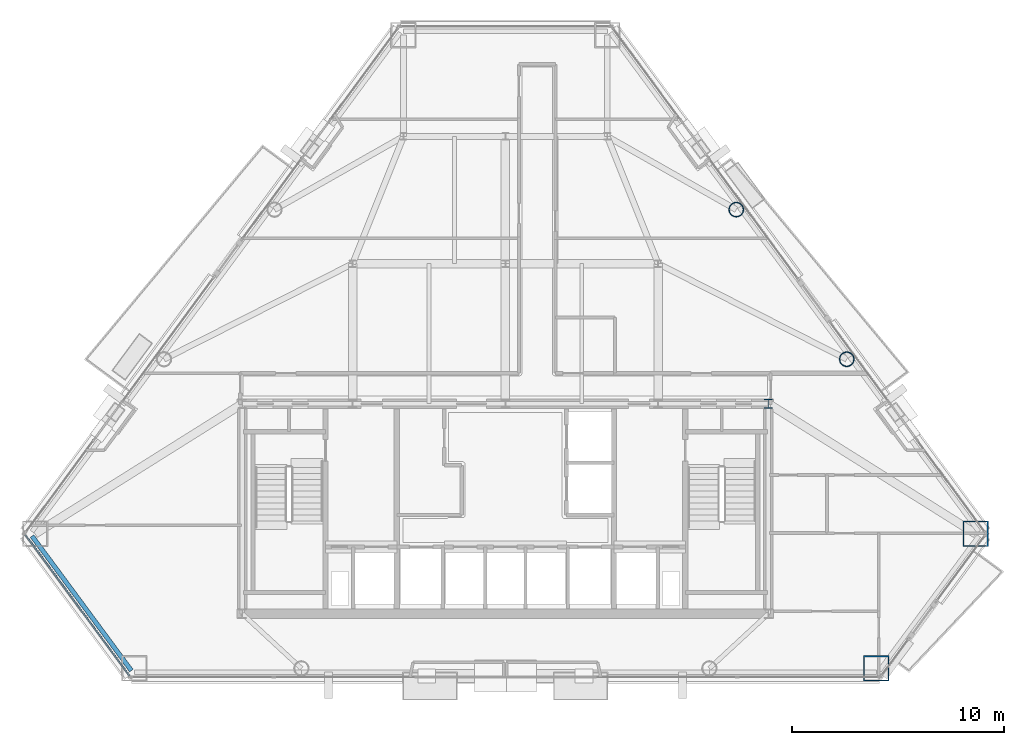
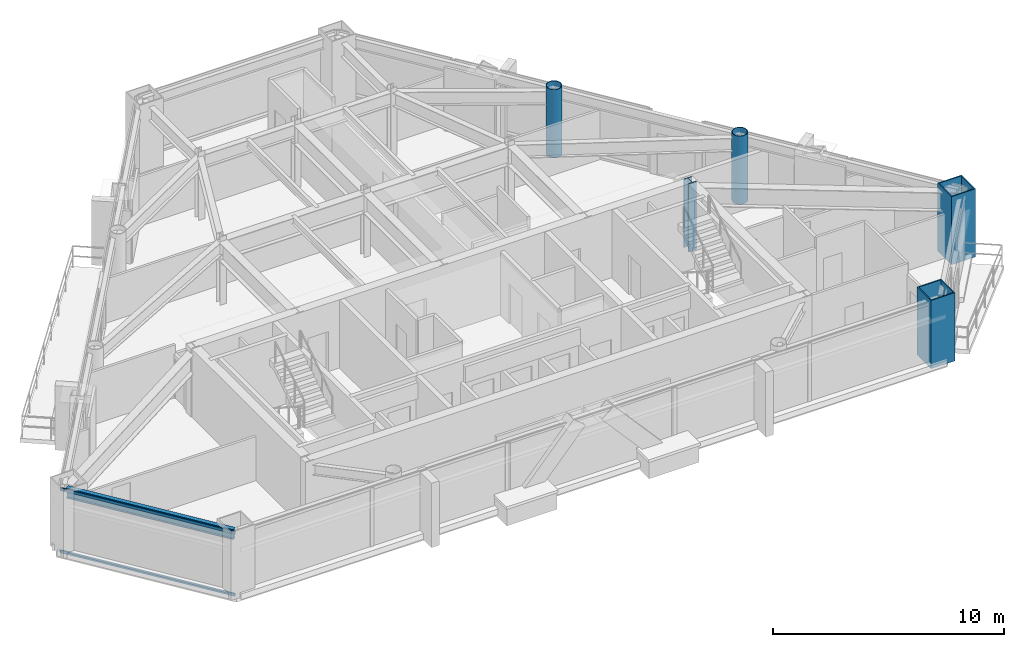
# One storey, part 2 of 11: 5 columns, 2 members, 1 beam, 1 element without a shape of its own.
"""IFC4 building model written with IfcOpenShell, lengths in metres."""

from ifc_helpers import new_model, si_unit, direction, frame, origin, origin_2d, place, context, subcontext, project, spatial, rectangle, hollow_rectangle, hollow_circle, i_section, extrude, material, layer, layer_set, material_profile, profile_set, type_object, element, aggregate, save


model = new_model("IFC4")

# Units and contexts
model_context = context("Model", 3, precision=1e-05, world=origin(), true_north=direction((0.0, 1.0)))
body_context = subcontext(model_context, "Body", "Model", "MODEL_VIEW")
ifc_project = project(units=[si_unit("LENGTHUNIT", "METRE"), si_unit("AREAUNIT", "SQUARE_METRE"), si_unit("VOLUMEUNIT", "CUBIC_METRE"), si_unit("PLANEANGLEUNIT", "RADIAN"), si_unit("MASSUNIT", "GRAM", prefix="KILO")], contexts=[model_context])

# Site, building, storey
site_placement = place(None, origin())
site = spatial("IfcSite", under=ifc_project, at=site_placement, CompositionType="ELEMENT")
building_placement = place(site_placement, origin())
building = spatial("IfcBuilding", under=site, at=building_placement, Name="Talgorran Terracotta Tower", CompositionType="ELEMENT")
storey_placement = place(building_placement, frame((0.0, 0.0, 147.300048828125)))
storey = spatial("IfcBuildingStorey", under=building, at=storey_placement, Name="L38", CompositionType="ELEMENT", Elevation=147.300048828125)

# Columns
ifc_material_1 = material(Name="Steel S355 (300PLUS)", Category="steel")
ifc_material_profile_1 = material_profile(ifc_material_1, i_section(OverallWidth=0.39990234375, OverallDepth=0.43994140625, WebThickness=0.028076171875, FlangeThickness=0.0400390625, at=origin_2d()), Name="400WC328")
ifc_profile_set_1 = profile_set([ifc_material_profile_1], Name="Steel S355 (300PLUS)")
column_type_1 = type_object("IfcColumnType", Name="COL_400WC328", PredefinedType="COLUMN", material=ifc_profile_set_1)
column_placement = place(storey_placement, frame((12.39990234375, -4.199951171875, 0.0), z_axis=(0.0, 0.0, 1.0), x_axis=(1.0, 0.0, 0.0)))
element("IfcColumn", 1, at=column_placement, inside=storey, type_object=column_type_1, Name="L38 Core Boundary Column CC3", PredefinedType="COLUMN", context=body_context, shape_type="SweptSolid", body=[
    extrude(i_section(OverallWidth=0.39990234375, OverallDepth=0.43994140625, WebThickness=0.028076171875, FlangeThickness=0.0400390625, at=origin_2d()), origin(), (0.0, 0.0, 1.0), 3.599853515625),
])
ifc_material_2 = material(Name="Steel Grade 350 (350L0)", Category="steel")
ifc_material_profile_2 = material_profile(ifc_material_2, hollow_rectangle(XDim=1.199951171875, YDim=1.199951171875, WallThickness=0.054931640625, at=origin_2d()), Name="CFT1200X1200X55")
ifc_profile_set_2 = profile_set([ifc_material_profile_2], Name="Steel Grade 350 (350L0)")
column_type_2 = type_object("IfcColumnType", Name="COL_CFT_1200", PredefinedType="COLUMN", material=ifc_profile_set_2)
for number, where, z_axis, x_axis, name in (
    (2, (17.483642578125, -16.67431640625, 0.0), (0.0, 0.0, 1.0), (1.0, 0.0, 0.0), "L38 Corner CFT Mega-Column MC3"),
    (3, (22.168212890625, -10.331298828125, 0.0), (0.0, 0.0, 1.0), (1.0, 0.0, 0.0), "L38 Corner CFT Mega-Column MC4"),
):
    element("IfcColumn", number, at=place(storey_placement, frame(where, z_axis=z_axis, x_axis=x_axis)), inside=storey, type_object=column_type_2, Name=name, PredefinedType="COLUMN", context=body_context, shape_type="SweptSolid", body=[
        extrude(hollow_rectangle(XDim=1.199951171875, YDim=1.199951171875, WallThickness=0.054931640625, at=origin_2d()), origin(), (0.0, 0.0, 1.0), 3.599853515625),
    ])
ifc_material_profile_3 = material_profile(ifc_material_2, hollow_circle(Radius=0.35009765625, WallThickness=0.030029296875, at=origin_2d()), Name="CHS700X30")
ifc_profile_set_3 = profile_set([ifc_material_profile_3], Name="Steel Grade 350 (350L0)")
column_type_3 = type_object("IfcColumnType", Name="COL_CHS_700", PredefinedType="COLUMN", material=ifc_profile_set_3)
for number, where, z_axis, x_axis, name in (
    (4, (16.091552734375, -2.10302734375, 0.0), (0.0, 0.0, 1.0), (1.0, 0.0, 0.0), "L38 Facet Perimeter Column FC3"),
    (5, (10.8828125, 4.94970703125, 0.0), (0.0, 0.0, 1.0), (1.0, 0.0, 0.0), "L38 Facet Perimeter Column FC4"),
):
    element("IfcColumn", number, at=place(storey_placement, frame(where, z_axis=z_axis, x_axis=x_axis)), inside=storey, type_object=column_type_3, Name=name, PredefinedType="COLUMN", context=body_context, shape_type="SweptSolid", body=[
        extrude(hollow_circle(Radius=0.35009765625, WallThickness=0.030029296875, at=origin_2d()), origin(), (0.0, 0.0, 1.0), 3.599853515625),
    ])

# Beam
ifc_material_profile_4 = material_profile(ifc_material_1, i_section(OverallWidth=0.209228515625, OverallDepth=0.532958984375, WebThickness=0.01025390625, FlangeThickness=0.015625, at=origin_2d()), Name="530UB92.4")
ifc_profile_set_4 = profile_set([ifc_material_profile_4], Name="Steel S355 (300PLUS)")
beam_type = type_object("IfcBeamType", Name="BM_SP_530UB92", PredefinedType="SPANDREL", material=ifc_profile_set_4)
beam_placement = place(storey_placement, frame((-22.31298828125, -10.43798828125, 3.08349609375), z_axis=(0.594068918856, -0.804414146848, 0.0), x_axis=(0.804414146848, 0.594068918856, 0.0)))
element("IfcBeam", 6, at=beam_placement, inside=storey, type_object=beam_type, Name="L38 Perimeter Spandrel Beam MC1-MC2", PredefinedType="SPANDREL", context=body_context, shape_type="SweptSolid", body=[
    extrude(i_section(OverallWidth=0.209228515625, OverallDepth=0.532958984375, WebThickness=0.01025390625, FlangeThickness=0.015625, at=origin_2d()), origin(), (0.0, 0.0, 1.0), 7.885498046875),
])

# Curtain wall, members
ifc_material_3 = material(Name="Unitised Low-E Double Glazing", Category="glass")
ifc_layer = layer(ifc_material_3, 0.199951171875, Name="CW_SYS2_RES_LOW")
ifc_layer_set = layer_set([ifc_layer], Name="Unitised Low-E Double Glazing")
curtain_wall_type = type_object("IfcCurtainWallType", Name="CW_SYS2_RES_LOW", PredefinedType="NOTDEFINED", material=ifc_layer_set)
curtain_wall_placement = place(storey_placement, origin())
curtain_wall = element("IfcCurtainWall", 7, at=curtain_wall_placement, inside=storey, type_object=curtain_wall_type, Name="CW-L38-F0", PredefinedType="NOTDEFINED")
ifc_material_4 = material(Name="Architectural Aluminium 6063-T6", Category="aluminium")
ifc_material_profile_5 = material_profile(ifc_material_4, rectangle(XDim=0.06494140625, YDim=0.14990234375, at=origin_2d()), Name="CWT65X150")
ifc_profile_set_5 = profile_set([ifc_material_profile_5], Name="Architectural Aluminium 6063-T6")
member_type = type_object("IfcMemberType", Name="TRN_65X150", PredefinedType="USERDEFINED", material=ifc_profile_set_5)
member_1_placement = place(storey_placement, frame((-22.626953125, -10.383544921875, 0.032470703125), z_axis=(0.594076601696, -0.804408472927, 0.0), x_axis=(0.804408472927, 0.594076601696, 0.0)))
member_1 = element("IfcMember", 8, at=member_1_placement, type_object=member_type, Name="CW-L38-0 transom 1.1", ObjectType="TRANSOM", PredefinedType="USERDEFINED", context=body_context, shape_type="SweptSolid", body=[
    extrude(rectangle(XDim=0.06494140625, YDim=0.14990234375, at=origin_2d()), origin(), (0.0, 0.0, 1.0), 8.2529296875),
])
member_2_placement = place(storey_placement, frame((-22.626953125, -10.383544921875, 3.3173828125), z_axis=(0.594076601696, -0.804408472927, 0.0), x_axis=(0.804408472927, 0.594076601696, 0.0)))
member_2 = element("IfcMember", 9, at=member_2_placement, type_object=member_type, Name="CW-L38-0 transom 1.2", ObjectType="TRANSOM", PredefinedType="USERDEFINED", context=body_context, shape_type="SweptSolid", body=[
    extrude(rectangle(XDim=0.06494140625, YDim=0.14990234375, at=origin_2d()), origin(), (0.0, 0.0, 1.0), 8.2529296875),
])
aggregate(curtain_wall, [member_1, member_2])

save(model, "model.ifc")
